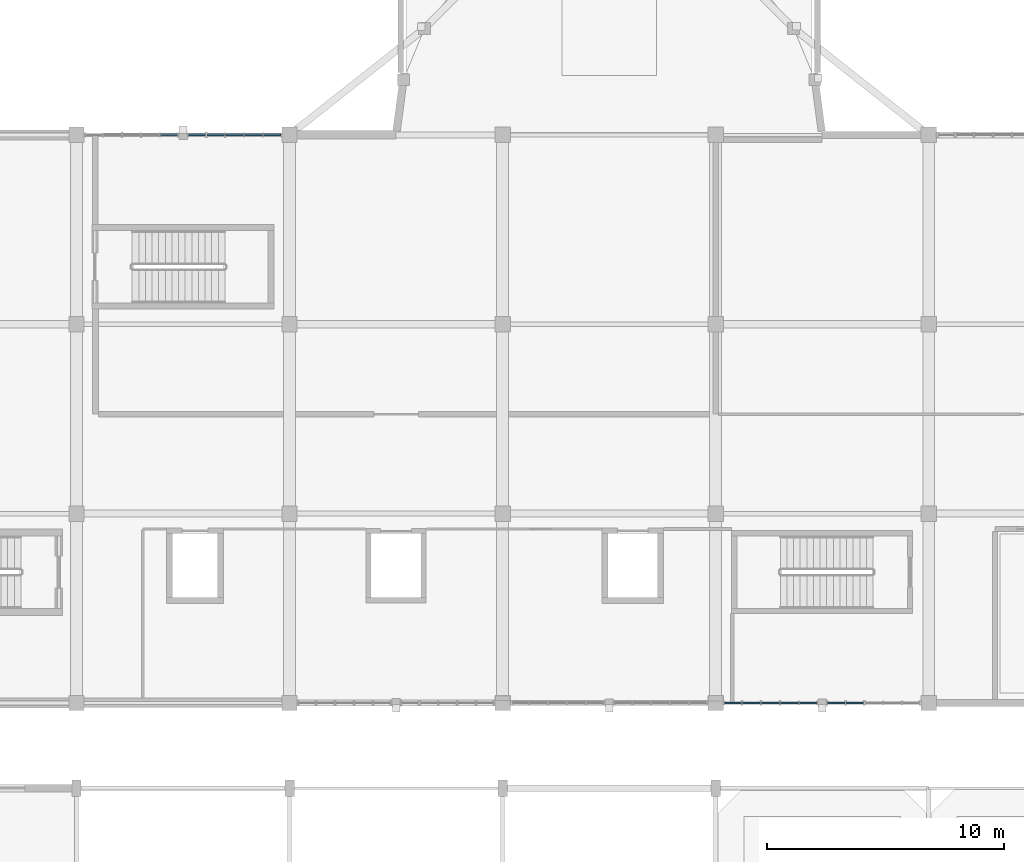
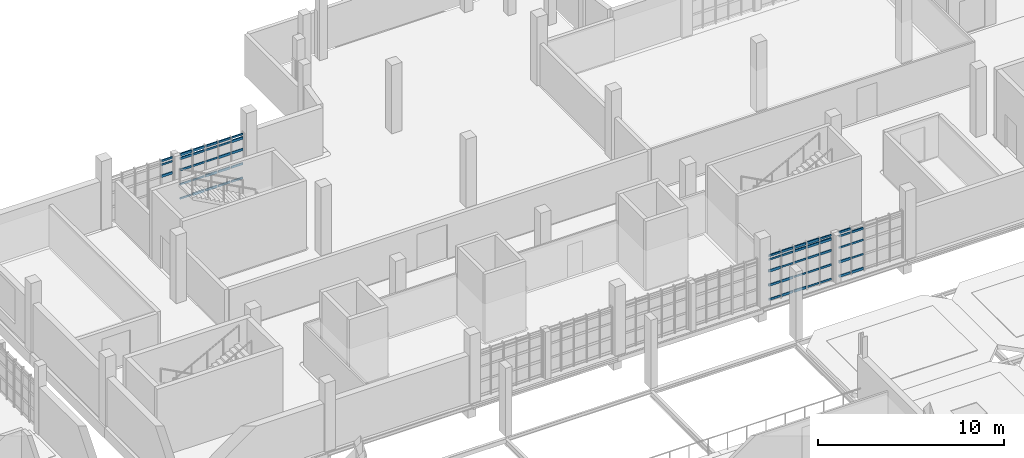
# One storey, part 59 of 125: 62 members, 4 elements without a shape of their own.
"""IFC4 building model written with IfcOpenShell, lengths in metres."""

from ifc_helpers import new_model, si_unit, direction, frame, origin, origin_2d, place, context, subcontext, project, spatial, rectangle, extrude, material, material_profile, profile_set, type_object, element, aggregate, save


model = new_model("IFC4")

# Units and contexts
model_context = context("Model", 3, precision=1e-05, world=origin(), true_north=direction((0.0, 1.0)))
body_context = subcontext(model_context, "Body", "Model", "MODEL_VIEW")
ifc_project = project(units=[si_unit("LENGTHUNIT", "METRE"), si_unit("AREAUNIT", "SQUARE_METRE"), si_unit("VOLUMEUNIT", "CUBIC_METRE"), si_unit("PLANEANGLEUNIT", "RADIAN"), si_unit("MASSUNIT", "GRAM", prefix="KILO")], contexts=[model_context])

# Site, building, storey
site_placement = place(None, origin())
site = spatial("IfcSite", under=ifc_project, at=site_placement, CompositionType="ELEMENT")
building_placement = place(site_placement, origin())
building = spatial("IfcBuilding", under=site, at=building_placement, Name="Serraforn Aerial Cableway Station", CompositionType="ELEMENT")
storey_placement = place(building_placement, frame((0.0, 0.0, 4.5)))
storey = spatial("IfcBuildingStorey", under=building, at=storey_placement, Name="L01", CompositionType="ELEMENT", Elevation=4.5)

# Curtain wall, members
ifc_material_1 = material(Name="Anodised bronze unitised curtain wall")
curtain_wall_type_1 = type_object("IfcCurtainWallType", Name="CW-SYS-19", PredefinedType="USERDEFINED", material=ifc_material_1)
curtain_wall_1_placement = place(storey_placement, origin())
curtain_wall_1 = element("IfcCurtainWall", 1, at=curtain_wall_1_placement, inside=storey, type_object=curtain_wall_type_1, Name="Unitised Curtain Wall CW-CV-L01-N2A", ObjectType="UNITISED CURTAIN WALL", PredefinedType="USERDEFINED")
ifc_material_2 = material(Name="Anodised bronze extruded aluminium", Category="aluminium")
ifc_material_profile_1 = material_profile(ifc_material_2, rectangle(XDim=0.054931640625, YDim=0.110107421875, at=origin_2d()), Name="CW TRANSOM 55x110")
ifc_profile_set_1 = profile_set([ifc_material_profile_1], Name="Anodised bronze extruded aluminium")
member_type_1 = type_object("IfcMemberType", Name="CW-TRN-1", PredefinedType="USERDEFINED", material=ifc_profile_set_1)
member_1_placement = place(storey_placement, frame((45.22412109375, 42.0, 2.9951171875), z_axis=(-1.0, 0.0, 0.0), x_axis=(0.0, -1.0, 0.0)))
member_1 = element("IfcMember", 2, at=member_1_placement, type_object=member_type_1, Name="Curtain Wall Transom CW-CV-L01-N2A-T1-5", ObjectType="TRANSOM", PredefinedType="USERDEFINED", context=body_context, shape_type="SweptSolid", body=[
    extrude(rectangle(XDim=0.054931640625, YDim=0.110107421875, at=origin_2d()), origin(), (0.0, 0.0, 1.0), 0.718505859375),
])
member_2_placement = place(storey_placement, frame((44.44970703125, 42.0, 2.74560546875), z_axis=(-1.0, 0.0, 0.0), x_axis=(0.0, -1.0, 0.0)))
member_2 = element("IfcMember", 3, at=member_2_placement, type_object=member_type_1, Name="Curtain Wall Transom CW-CV-L01-N2A-T2-4", ObjectType="TRANSOM", PredefinedType="USERDEFINED", context=body_context, shape_type="SweptSolid", body=[
    extrude(rectangle(XDim=0.054931640625, YDim=0.110107421875, at=origin_2d()), origin(), (0.0, 0.0, 1.0), 0.740966796875),
])
member_3_placement = place(storey_placement, frame((43.647705078125, 42.0, 1.996826171875), z_axis=(-1.0, 0.0, 0.0), x_axis=(0.0, -1.0, 0.0)))
member_3 = element("IfcMember", 4, at=member_3_placement, type_object=member_type_1, Name="Curtain Wall Transom CW-CV-L01-N2A-T3-3", ObjectType="TRANSOM", PredefinedType="USERDEFINED", context=body_context, shape_type="SweptSolid", body=[
    extrude(rectangle(XDim=0.054931640625, YDim=0.110107421875, at=origin_2d()), origin(), (0.0, 0.0, 1.0), 0.73583984375),
])
member_4_placement = place(storey_placement, frame((42.845703125, 42.0, 1.060791015625), z_axis=(-1.0, 0.0, 0.0), x_axis=(0.0, -1.0, 0.0)))
member_4 = element("IfcMember", 5, at=member_4_placement, type_object=member_type_1, Name="Curtain Wall Transom CW-CV-L01-N2A-T4-2", ObjectType="TRANSOM", PredefinedType="USERDEFINED", context=body_context, shape_type="SweptSolid", body=[
    extrude(rectangle(XDim=0.054931640625, YDim=0.110107421875, at=origin_2d()), origin(), (0.0, 0.0, 1.0), 0.730712890625),
])
member_5_placement = place(storey_placement, frame((42.0439453125, 42.0, 0.124755859375), z_axis=(-1.0, 0.0, 0.0), x_axis=(0.0, -1.0, 0.0)))
member_5 = element("IfcMember", 6, at=member_5_placement, type_object=member_type_1, Name="Curtain Wall Transom CW-CV-L01-N2A-T5-1", ObjectType="TRANSOM", PredefinedType="USERDEFINED", context=body_context, shape_type="SweptSolid", body=[
    extrude(rectangle(XDim=0.054931640625, YDim=0.110107421875, at=origin_2d()), origin(), (0.0, 0.0, 1.0), 0.7109375),
])

# Curtain wall, member
curtain_wall_type_2 = type_object("IfcCurtainWallType", Name="CW-SYS-20", PredefinedType="USERDEFINED", material=ifc_material_1)
curtain_wall_2_placement = place(storey_placement, origin())
curtain_wall_2 = element("IfcCurtainWall", 7, at=curtain_wall_2_placement, inside=storey, type_object=curtain_wall_type_2, Name="Unitised Curtain Wall CW-CV-L01-N2B", ObjectType="UNITISED CURTAIN WALL", PredefinedType="USERDEFINED")
member_6_placement = place(storey_placement, frame((40.862060546875, 42.0, 2.74560546875), z_axis=(-1.0, 0.0, 0.0), x_axis=(0.0, -1.0, 0.0)))
member_6 = element("IfcMember", 8, at=member_6_placement, type_object=member_type_1, Name="Curtain Wall Transom CW-CV-L01-N2B-T1-4", ObjectType="TRANSOM", PredefinedType="USERDEFINED", context=body_context, shape_type="SweptSolid", body=[
    extrude(rectangle(XDim=0.054931640625, YDim=0.110107421875, at=origin_2d()), origin(), (0.0, 0.0, 1.0), 0.7109375),
])

# Curtain wall, members
curtain_wall_type_3 = type_object("IfcCurtainWallType", Name="CW-SYS-25", PredefinedType="USERDEFINED", material=ifc_material_1)
curtain_wall_3_placement = place(storey_placement, origin())
curtain_wall_3 = element("IfcCurtainWall", 9, at=curtain_wall_3_placement, inside=storey, type_object=curtain_wall_type_3, Name="Unitised Curtain Wall CW-CV-L01-S5A", ObjectType="UNITISED CURTAIN WALL", PredefinedType="USERDEFINED")
member_7_placement = place(storey_placement, frame((63.98095703125, 18.0, 2.74560546875), z_axis=(1.0, 0.0, 0.0), x_axis=(0.0, 1.0, 0.0)))
member_7 = element("IfcMember", 10, at=member_7_placement, type_object=member_type_1, Name="Curtain Wall Transom CW-CV-L01-S5A-T1-4", ObjectType="TRANSOM", PredefinedType="USERDEFINED", context=body_context, shape_type="SweptSolid", body=[
    extrude(rectangle(XDim=0.054931640625, YDim=0.110107421875, at=origin_2d()), origin(), (0.0, 0.0, 1.0), 0.7109375),
])
member_8_placement = place(storey_placement, frame((64.7529296875, 18.0, 1.996826171875), z_axis=(1.0, 0.0, 0.0), x_axis=(0.0, 1.0, 0.0)))
member_8 = element("IfcMember", 11, at=member_8_placement, type_object=member_type_1, Name="Curtain Wall Transom CW-CV-L01-S5A-T2-3", ObjectType="TRANSOM", PredefinedType="USERDEFINED", context=body_context, shape_type="SweptSolid", body=[
    extrude(rectangle(XDim=0.054931640625, YDim=0.110107421875, at=origin_2d()), origin(), (0.0, 0.0, 1.0), 0.73583984375),
])
member_9_placement = place(storey_placement, frame((65.5546875, 18.0, 1.060791015625), z_axis=(1.0, 0.0, 0.0), x_axis=(0.0, 1.0, 0.0)))
member_9 = element("IfcMember", 12, at=member_9_placement, type_object=member_type_1, Name="Curtain Wall Transom CW-CV-L01-S5A-T3-2", ObjectType="TRANSOM", PredefinedType="USERDEFINED", context=body_context, shape_type="SweptSolid", body=[
    extrude(rectangle(XDim=0.054931640625, YDim=0.110107421875, at=origin_2d()), origin(), (0.0, 0.0, 1.0), 0.73095703125),
])
member_10_placement = place(storey_placement, frame((66.356689453125, 18.0, 0.124755859375), z_axis=(1.0, 0.0, 0.0), x_axis=(0.0, 1.0, 0.0)))
member_10 = element("IfcMember", 13, at=member_10_placement, type_object=member_type_1, Name="Curtain Wall Transom CW-CV-L01-S5A-T4-1", ObjectType="TRANSOM", PredefinedType="USERDEFINED", context=body_context, shape_type="SweptSolid", body=[
    extrude(rectangle(XDim=0.054931640625, YDim=0.110107421875, at=origin_2d()), origin(), (0.0, 0.0, 1.0), 0.738525390625),
])
member_11_placement = place(storey_placement, frame((67.14599609375, 18.0, 2.9951171875), z_axis=(1.0, 0.0, 0.0), x_axis=(0.0, 1.0, 0.0)))
member_11 = element("IfcMember", 14, at=member_11_placement, type_object=member_type_1, Name="Curtain Wall Transom CW-CV-L01-S5A-T5-5", ObjectType="TRANSOM", PredefinedType="USERDEFINED", context=body_context, shape_type="SweptSolid", body=[
    extrude(rectangle(XDim=0.054931640625, YDim=0.110107421875, at=origin_2d()), origin(), (0.0, 0.0, 1.0), 0.716064453125),
])

curtain_wall_type_4 = type_object("IfcCurtainWallType", Name="CW-SYS-26", PredefinedType="USERDEFINED", material=ifc_material_1)
curtain_wall_4_placement = place(storey_placement, origin())
curtain_wall_4 = element("IfcCurtainWall", 15, at=curtain_wall_4_placement, inside=storey, type_object=curtain_wall_type_4, Name="Unitised Curtain Wall CW-CV-L01-S5B", ObjectType="UNITISED CURTAIN WALL", PredefinedType="USERDEFINED")
member_12_placement = place(storey_placement, frame((68.343017578125, 18.0, 1.996826171875), z_axis=(1.0, 0.0, 0.0), x_axis=(0.0, 1.0, 0.0)))
member_12 = element("IfcMember", 16, at=member_12_placement, type_object=member_type_1, Name="Curtain Wall Transom CW-CV-L01-S5B-T1-3", ObjectType="TRANSOM", PredefinedType="USERDEFINED", context=body_context, shape_type="SweptSolid", body=[
    extrude(rectangle(XDim=0.054931640625, YDim=0.110107421875, at=origin_2d()), origin(), (0.0, 0.0, 1.0), 0.703369140625),
])
member_13_placement = place(storey_placement, frame((69.1123046875, 18.0, 1.060791015625), z_axis=(1.0, 0.0, 0.0), x_axis=(0.0, 1.0, 0.0)))
member_13 = element("IfcMember", 17, at=member_13_placement, type_object=member_type_1, Name="Curtain Wall Transom CW-CV-L01-S5B-T2-2", ObjectType="TRANSOM", PredefinedType="USERDEFINED", context=body_context, shape_type="SweptSolid", body=[
    extrude(rectangle(XDim=0.054931640625, YDim=0.110107421875, at=origin_2d()), origin(), (0.0, 0.0, 1.0), 0.73095703125),
])

# Member
ifc_material_profile_2 = material_profile(ifc_material_2, rectangle(XDim=0.06005859375, YDim=0.1201171875, at=origin_2d()), Name="CW TRANSOM 60x120")
ifc_profile_set_2 = profile_set([ifc_material_profile_2], Name="Anodised bronze extruded aluminium")
member_type_2 = type_object("IfcMemberType", Name="CW-TRN-2", PredefinedType="USERDEFINED", material=ifc_profile_set_2)
member_14_placement = place(storey_placement, frame((45.22412109375, 42.0, 0.124755859375), z_axis=(-1.0, 0.0, 0.0), x_axis=(0.0, -1.0, 0.0)))
member_14 = element("IfcMember", 18, at=member_14_placement, type_object=member_type_2, Name="Curtain Wall Transom CW-CV-L01-N2A-T1-1", ObjectType="TRANSOM", PredefinedType="USERDEFINED", context=body_context, shape_type="SweptSolid", body=[
    extrude(rectangle(XDim=0.06005859375, YDim=0.1201171875, at=origin_2d()), origin(), (0.0, 0.0, 1.0), 0.718505859375),
])

member_15_placement = place(storey_placement, frame((44.44970703125, 42.0, 2.9951171875), z_axis=(-1.0, 0.0, 0.0), x_axis=(0.0, -1.0, 0.0)))
member_15 = element("IfcMember", 19, at=member_15_placement, type_object=member_type_2, Name="Curtain Wall Transom CW-CV-L01-N2A-T2-5", ObjectType="TRANSOM", PredefinedType="USERDEFINED", context=body_context, shape_type="SweptSolid", body=[
    extrude(rectangle(XDim=0.06005859375, YDim=0.1201171875, at=origin_2d()), origin(), (0.0, 0.0, 1.0), 0.740966796875),
])

member_16_placement = place(storey_placement, frame((43.647705078125, 42.0, 2.74560546875), z_axis=(-1.0, 0.0, 0.0), x_axis=(0.0, -1.0, 0.0)))
member_16 = element("IfcMember", 20, at=member_16_placement, type_object=member_type_2, Name="Curtain Wall Transom CW-CV-L01-N2A-T3-4", ObjectType="TRANSOM", PredefinedType="USERDEFINED", context=body_context, shape_type="SweptSolid", body=[
    extrude(rectangle(XDim=0.06005859375, YDim=0.1201171875, at=origin_2d()), origin(), (0.0, 0.0, 1.0), 0.73583984375),
])

member_17_placement = place(storey_placement, frame((42.845703125, 42.0, 1.996826171875), z_axis=(-1.0, 0.0, 0.0), x_axis=(0.0, -1.0, 0.0)))
member_17 = element("IfcMember", 21, at=member_17_placement, type_object=member_type_2, Name="Curtain Wall Transom CW-CV-L01-N2A-T4-3", ObjectType="TRANSOM", PredefinedType="USERDEFINED", context=body_context, shape_type="SweptSolid", body=[
    extrude(rectangle(XDim=0.06005859375, YDim=0.1201171875, at=origin_2d()), origin(), (0.0, 0.0, 1.0), 0.730712890625),
])

member_18_placement = place(storey_placement, frame((42.0439453125, 42.0, 1.060791015625), z_axis=(-1.0, 0.0, 0.0), x_axis=(0.0, -1.0, 0.0)))
member_18 = element("IfcMember", 22, at=member_18_placement, type_object=member_type_2, Name="Curtain Wall Transom CW-CV-L01-N2A-T5-2", ObjectType="TRANSOM", PredefinedType="USERDEFINED", context=body_context, shape_type="SweptSolid", body=[
    extrude(rectangle(XDim=0.06005859375, YDim=0.1201171875, at=origin_2d()), origin(), (0.0, 0.0, 1.0), 0.7109375),
])

member_19_placement = place(storey_placement, frame((40.862060546875, 42.0, 2.9951171875), z_axis=(-1.0, 0.0, 0.0), x_axis=(0.0, -1.0, 0.0)))
member_19 = element("IfcMember", 23, at=member_19_placement, type_object=member_type_2, Name="Curtain Wall Transom CW-CV-L01-N2B-T1-5", ObjectType="TRANSOM", PredefinedType="USERDEFINED", context=body_context, shape_type="SweptSolid", body=[
    extrude(rectangle(XDim=0.06005859375, YDim=0.1201171875, at=origin_2d()), origin(), (0.0, 0.0, 1.0), 0.7109375),
])

member_20_placement = place(storey_placement, frame((63.98095703125, 18.0, 2.9951171875), z_axis=(1.0, 0.0, 0.0), x_axis=(0.0, 1.0, 0.0)))
member_20 = element("IfcMember", 24, at=member_20_placement, type_object=member_type_2, Name="Curtain Wall Transom CW-CV-L01-S5A-T1-5", ObjectType="TRANSOM", PredefinedType="USERDEFINED", context=body_context, shape_type="SweptSolid", body=[
    extrude(rectangle(XDim=0.06005859375, YDim=0.1201171875, at=origin_2d()), origin(), (0.0, 0.0, 1.0), 0.7109375),
])

member_21_placement = place(storey_placement, frame((64.7529296875, 18.0, 2.74560546875), z_axis=(1.0, 0.0, 0.0), x_axis=(0.0, 1.0, 0.0)))
member_21 = element("IfcMember", 25, at=member_21_placement, type_object=member_type_2, Name="Curtain Wall Transom CW-CV-L01-S5A-T2-4", ObjectType="TRANSOM", PredefinedType="USERDEFINED", context=body_context, shape_type="SweptSolid", body=[
    extrude(rectangle(XDim=0.06005859375, YDim=0.1201171875, at=origin_2d()), origin(), (0.0, 0.0, 1.0), 0.73583984375),
])

member_22_placement = place(storey_placement, frame((65.5546875, 18.0, 1.996826171875), z_axis=(1.0, 0.0, 0.0), x_axis=(0.0, 1.0, 0.0)))
member_22 = element("IfcMember", 26, at=member_22_placement, type_object=member_type_2, Name="Curtain Wall Transom CW-CV-L01-S5A-T3-3", ObjectType="TRANSOM", PredefinedType="USERDEFINED", context=body_context, shape_type="SweptSolid", body=[
    extrude(rectangle(XDim=0.06005859375, YDim=0.1201171875, at=origin_2d()), origin(), (0.0, 0.0, 1.0), 0.73095703125),
])

member_23_placement = place(storey_placement, frame((66.356689453125, 18.0, 1.060791015625), z_axis=(1.0, 0.0, 0.0), x_axis=(0.0, 1.0, 0.0)))
member_23 = element("IfcMember", 27, at=member_23_placement, type_object=member_type_2, Name="Curtain Wall Transom CW-CV-L01-S5A-T4-2", ObjectType="TRANSOM", PredefinedType="USERDEFINED", context=body_context, shape_type="SweptSolid", body=[
    extrude(rectangle(XDim=0.06005859375, YDim=0.1201171875, at=origin_2d()), origin(), (0.0, 0.0, 1.0), 0.738525390625),
])

member_24_placement = place(storey_placement, frame((67.14599609375, 18.0, 0.124755859375), z_axis=(1.0, 0.0, 0.0), x_axis=(0.0, 1.0, 0.0)))
member_24 = element("IfcMember", 28, at=member_24_placement, type_object=member_type_2, Name="Curtain Wall Transom CW-CV-L01-S5A-T5-1", ObjectType="TRANSOM", PredefinedType="USERDEFINED", context=body_context, shape_type="SweptSolid", body=[
    extrude(rectangle(XDim=0.06005859375, YDim=0.1201171875, at=origin_2d()), origin(), (0.0, 0.0, 1.0), 0.716064453125),
])

member_25_placement = place(storey_placement, frame((68.343017578125, 18.0, 2.74560546875), z_axis=(1.0, 0.0, 0.0), x_axis=(0.0, 1.0, 0.0)))
member_25 = element("IfcMember", 29, at=member_25_placement, type_object=member_type_2, Name="Curtain Wall Transom CW-CV-L01-S5B-T1-4", ObjectType="TRANSOM", PredefinedType="USERDEFINED", context=body_context, shape_type="SweptSolid", body=[
    extrude(rectangle(XDim=0.06005859375, YDim=0.1201171875, at=origin_2d()), origin(), (0.0, 0.0, 1.0), 0.703369140625),
])

member_26_placement = place(storey_placement, frame((69.1123046875, 18.0, 1.996826171875), z_axis=(1.0, 0.0, 0.0), x_axis=(0.0, 1.0, 0.0)))
member_26 = element("IfcMember", 30, at=member_26_placement, type_object=member_type_2, Name="Curtain Wall Transom CW-CV-L01-S5B-T2-3", ObjectType="TRANSOM", PredefinedType="USERDEFINED", context=body_context, shape_type="SweptSolid", body=[
    extrude(rectangle(XDim=0.06005859375, YDim=0.1201171875, at=origin_2d()), origin(), (0.0, 0.0, 1.0), 0.73095703125),
])

ifc_material_profile_3 = material_profile(ifc_material_2, rectangle(XDim=0.06494140625, YDim=0.135009765625, at=origin_2d()), Name="CW TRANSOM 65x135")
ifc_profile_set_3 = profile_set([ifc_material_profile_3], Name="Anodised bronze extruded aluminium")
member_type_3 = type_object("IfcMemberType", Name="CW-TRN-3", PredefinedType="USERDEFINED", material=ifc_profile_set_3)
member_27_placement = place(storey_placement, frame((45.22412109375, 42.0, 1.060791015625), z_axis=(-1.0, 0.0, 0.0), x_axis=(0.0, -1.0, 0.0)))
member_27 = element("IfcMember", 31, at=member_27_placement, type_object=member_type_3, Name="Curtain Wall Transom CW-CV-L01-N2A-T1-2", ObjectType="TRANSOM", PredefinedType="USERDEFINED", context=body_context, shape_type="SweptSolid", body=[
    extrude(rectangle(XDim=0.06494140625, YDim=0.135009765625, at=origin_2d()), origin(), (0.0, 0.0, 1.0), 0.718505859375),
])

member_28_placement = place(storey_placement, frame((44.44970703125, 42.0, 0.124755859375), z_axis=(-1.0, 0.0, 0.0), x_axis=(0.0, -1.0, 0.0)))
member_28 = element("IfcMember", 32, at=member_28_placement, type_object=member_type_3, Name="Curtain Wall Transom CW-CV-L01-N2A-T2-1", ObjectType="TRANSOM", PredefinedType="USERDEFINED", context=body_context, shape_type="SweptSolid", body=[
    extrude(rectangle(XDim=0.06494140625, YDim=0.135009765625, at=origin_2d()), origin(), (0.0, 0.0, 1.0), 0.740966796875),
])

member_29_placement = place(storey_placement, frame((43.647705078125, 42.0, 2.9951171875), z_axis=(-1.0, 0.0, 0.0), x_axis=(0.0, -1.0, 0.0)))
member_29 = element("IfcMember", 33, at=member_29_placement, type_object=member_type_3, Name="Curtain Wall Transom CW-CV-L01-N2A-T3-5", ObjectType="TRANSOM", PredefinedType="USERDEFINED", context=body_context, shape_type="SweptSolid", body=[
    extrude(rectangle(XDim=0.06494140625, YDim=0.135009765625, at=origin_2d()), origin(), (0.0, 0.0, 1.0), 0.73583984375),
])

member_30_placement = place(storey_placement, frame((42.845703125, 42.0, 2.74560546875), z_axis=(-1.0, 0.0, 0.0), x_axis=(0.0, -1.0, 0.0)))
member_30 = element("IfcMember", 34, at=member_30_placement, type_object=member_type_3, Name="Curtain Wall Transom CW-CV-L01-N2A-T4-4", ObjectType="TRANSOM", PredefinedType="USERDEFINED", context=body_context, shape_type="SweptSolid", body=[
    extrude(rectangle(XDim=0.06494140625, YDim=0.135009765625, at=origin_2d()), origin(), (0.0, 0.0, 1.0), 0.730712890625),
])

member_31_placement = place(storey_placement, frame((42.0439453125, 42.0, 1.996826171875), z_axis=(-1.0, 0.0, 0.0), x_axis=(0.0, -1.0, 0.0)))
member_31 = element("IfcMember", 35, at=member_31_placement, type_object=member_type_3, Name="Curtain Wall Transom CW-CV-L01-N2A-T5-3", ObjectType="TRANSOM", PredefinedType="USERDEFINED", context=body_context, shape_type="SweptSolid", body=[
    extrude(rectangle(XDim=0.06494140625, YDim=0.135009765625, at=origin_2d()), origin(), (0.0, 0.0, 1.0), 0.7109375),
])

member_32_placement = place(storey_placement, frame((63.98095703125, 18.0, 0.124755859375), z_axis=(1.0, 0.0, 0.0), x_axis=(0.0, 1.0, 0.0)))
member_32 = element("IfcMember", 36, at=member_32_placement, type_object=member_type_3, Name="Curtain Wall Transom CW-CV-L01-S5A-T1-1", ObjectType="TRANSOM", PredefinedType="USERDEFINED", context=body_context, shape_type="SweptSolid", body=[
    extrude(rectangle(XDim=0.06494140625, YDim=0.135009765625, at=origin_2d()), origin(), (0.0, 0.0, 1.0), 0.7109375),
])

member_33_placement = place(storey_placement, frame((64.7529296875, 18.0, 2.9951171875), z_axis=(1.0, 0.0, 0.0), x_axis=(0.0, 1.0, 0.0)))
member_33 = element("IfcMember", 37, at=member_33_placement, type_object=member_type_3, Name="Curtain Wall Transom CW-CV-L01-S5A-T2-5", ObjectType="TRANSOM", PredefinedType="USERDEFINED", context=body_context, shape_type="SweptSolid", body=[
    extrude(rectangle(XDim=0.06494140625, YDim=0.135009765625, at=origin_2d()), origin(), (0.0, 0.0, 1.0), 0.73583984375),
])

member_34_placement = place(storey_placement, frame((65.5546875, 18.0, 2.74560546875), z_axis=(1.0, 0.0, 0.0), x_axis=(0.0, 1.0, 0.0)))
member_34 = element("IfcMember", 38, at=member_34_placement, type_object=member_type_3, Name="Curtain Wall Transom CW-CV-L01-S5A-T3-4", ObjectType="TRANSOM", PredefinedType="USERDEFINED", context=body_context, shape_type="SweptSolid", body=[
    extrude(rectangle(XDim=0.06494140625, YDim=0.135009765625, at=origin_2d()), origin(), (0.0, 0.0, 1.0), 0.73095703125),
])

member_35_placement = place(storey_placement, frame((66.356689453125, 18.0, 1.996826171875), z_axis=(1.0, 0.0, 0.0), x_axis=(0.0, 1.0, 0.0)))
member_35 = element("IfcMember", 39, at=member_35_placement, type_object=member_type_3, Name="Curtain Wall Transom CW-CV-L01-S5A-T4-3", ObjectType="TRANSOM", PredefinedType="USERDEFINED", context=body_context, shape_type="SweptSolid", body=[
    extrude(rectangle(XDim=0.06494140625, YDim=0.135009765625, at=origin_2d()), origin(), (0.0, 0.0, 1.0), 0.738525390625),
])

member_36_placement = place(storey_placement, frame((67.14599609375, 18.0, 1.060791015625), z_axis=(1.0, 0.0, 0.0), x_axis=(0.0, 1.0, 0.0)))
member_36 = element("IfcMember", 40, at=member_36_placement, type_object=member_type_3, Name="Curtain Wall Transom CW-CV-L01-S5A-T5-2", ObjectType="TRANSOM", PredefinedType="USERDEFINED", context=body_context, shape_type="SweptSolid", body=[
    extrude(rectangle(XDim=0.06494140625, YDim=0.135009765625, at=origin_2d()), origin(), (0.0, 0.0, 1.0), 0.716064453125),
])

member_37_placement = place(storey_placement, frame((68.343017578125, 18.0, 2.9951171875), z_axis=(1.0, 0.0, 0.0), x_axis=(0.0, 1.0, 0.0)))
member_37 = element("IfcMember", 41, at=member_37_placement, type_object=member_type_3, Name="Curtain Wall Transom CW-CV-L01-S5B-T1-5", ObjectType="TRANSOM", PredefinedType="USERDEFINED", context=body_context, shape_type="SweptSolid", body=[
    extrude(rectangle(XDim=0.06494140625, YDim=0.135009765625, at=origin_2d()), origin(), (0.0, 0.0, 1.0), 0.703369140625),
])

member_38_placement = place(storey_placement, frame((69.1123046875, 18.0, 2.74560546875), z_axis=(1.0, 0.0, 0.0), x_axis=(0.0, 1.0, 0.0)))
member_38 = element("IfcMember", 42, at=member_38_placement, type_object=member_type_3, Name="Curtain Wall Transom CW-CV-L01-S5B-T2-4", ObjectType="TRANSOM", PredefinedType="USERDEFINED", context=body_context, shape_type="SweptSolid", body=[
    extrude(rectangle(XDim=0.06494140625, YDim=0.135009765625, at=origin_2d()), origin(), (0.0, 0.0, 1.0), 0.73095703125),
])

ifc_material_profile_4 = material_profile(ifc_material_2, rectangle(XDim=0.070068359375, YDim=0.14990234375, at=origin_2d()), Name="CW TRANSOM 70x150")
ifc_profile_set_4 = profile_set([ifc_material_profile_4], Name="Anodised bronze extruded aluminium")
member_type_4 = type_object("IfcMemberType", Name="CW-TRN-4", PredefinedType="USERDEFINED", material=ifc_profile_set_4)
member_39_placement = place(storey_placement, frame((45.22412109375, 42.0, 1.996826171875), z_axis=(-1.0, 0.0, 0.0), x_axis=(0.0, -1.0, 0.0)))
member_39 = element("IfcMember", 43, at=member_39_placement, type_object=member_type_4, Name="Curtain Wall Transom CW-CV-L01-N2A-T1-3", ObjectType="TRANSOM", PredefinedType="USERDEFINED", context=body_context, shape_type="SweptSolid", body=[
    extrude(rectangle(XDim=0.070068359375, YDim=0.14990234375, at=origin_2d()), origin(), (0.0, 0.0, 1.0), 0.718505859375),
])

member_40_placement = place(storey_placement, frame((44.44970703125, 42.0, 1.060791015625), z_axis=(-1.0, 0.0, 0.0), x_axis=(0.0, -1.0, 0.0)))
member_40 = element("IfcMember", 44, at=member_40_placement, type_object=member_type_4, Name="Curtain Wall Transom CW-CV-L01-N2A-T2-2", ObjectType="TRANSOM", PredefinedType="USERDEFINED", context=body_context, shape_type="SweptSolid", body=[
    extrude(rectangle(XDim=0.070068359375, YDim=0.14990234375, at=origin_2d()), origin(), (0.0, 0.0, 1.0), 0.740966796875),
])

member_41_placement = place(storey_placement, frame((43.647705078125, 42.0, 0.124755859375), z_axis=(-1.0, 0.0, 0.0), x_axis=(0.0, -1.0, 0.0)))
member_41 = element("IfcMember", 45, at=member_41_placement, type_object=member_type_4, Name="Curtain Wall Transom CW-CV-L01-N2A-T3-1", ObjectType="TRANSOM", PredefinedType="USERDEFINED", context=body_context, shape_type="SweptSolid", body=[
    extrude(rectangle(XDim=0.070068359375, YDim=0.14990234375, at=origin_2d()), origin(), (0.0, 0.0, 1.0), 0.73583984375),
])

member_42_placement = place(storey_placement, frame((42.845703125, 42.0, 2.9951171875), z_axis=(-1.0, 0.0, 0.0), x_axis=(0.0, -1.0, 0.0)))
member_42 = element("IfcMember", 46, at=member_42_placement, type_object=member_type_4, Name="Curtain Wall Transom CW-CV-L01-N2A-T4-5", ObjectType="TRANSOM", PredefinedType="USERDEFINED", context=body_context, shape_type="SweptSolid", body=[
    extrude(rectangle(XDim=0.070068359375, YDim=0.14990234375, at=origin_2d()), origin(), (0.0, 0.0, 1.0), 0.730712890625),
])

member_43_placement = place(storey_placement, frame((42.0439453125, 42.0, 2.74560546875), z_axis=(-1.0, 0.0, 0.0), x_axis=(0.0, -1.0, 0.0)))
member_43 = element("IfcMember", 47, at=member_43_placement, type_object=member_type_4, Name="Curtain Wall Transom CW-CV-L01-N2A-T5-4", ObjectType="TRANSOM", PredefinedType="USERDEFINED", context=body_context, shape_type="SweptSolid", body=[
    extrude(rectangle(XDim=0.070068359375, YDim=0.14990234375, at=origin_2d()), origin(), (0.0, 0.0, 1.0), 0.7109375),
])

member_44_placement = place(storey_placement, frame((63.98095703125, 18.0, 1.060791015625), z_axis=(1.0, 0.0, 0.0), x_axis=(0.0, 1.0, 0.0)))
member_44 = element("IfcMember", 48, at=member_44_placement, type_object=member_type_4, Name="Curtain Wall Transom CW-CV-L01-S5A-T1-2", ObjectType="TRANSOM", PredefinedType="USERDEFINED", context=body_context, shape_type="SweptSolid", body=[
    extrude(rectangle(XDim=0.070068359375, YDim=0.14990234375, at=origin_2d()), origin(), (0.0, 0.0, 1.0), 0.7109375),
])

member_45_placement = place(storey_placement, frame((64.7529296875, 18.0, 0.124755859375), z_axis=(1.0, 0.0, 0.0), x_axis=(0.0, 1.0, 0.0)))
member_45 = element("IfcMember", 49, at=member_45_placement, type_object=member_type_4, Name="Curtain Wall Transom CW-CV-L01-S5A-T2-1", ObjectType="TRANSOM", PredefinedType="USERDEFINED", context=body_context, shape_type="SweptSolid", body=[
    extrude(rectangle(XDim=0.070068359375, YDim=0.14990234375, at=origin_2d()), origin(), (0.0, 0.0, 1.0), 0.73583984375),
])

member_46_placement = place(storey_placement, frame((65.5546875, 18.0, 2.9951171875), z_axis=(1.0, 0.0, 0.0), x_axis=(0.0, 1.0, 0.0)))
member_46 = element("IfcMember", 50, at=member_46_placement, type_object=member_type_4, Name="Curtain Wall Transom CW-CV-L01-S5A-T3-5", ObjectType="TRANSOM", PredefinedType="USERDEFINED", context=body_context, shape_type="SweptSolid", body=[
    extrude(rectangle(XDim=0.070068359375, YDim=0.14990234375, at=origin_2d()), origin(), (0.0, 0.0, 1.0), 0.73095703125),
])

member_47_placement = place(storey_placement, frame((66.356689453125, 18.0, 2.74560546875), z_axis=(1.0, 0.0, 0.0), x_axis=(0.0, 1.0, 0.0)))
member_47 = element("IfcMember", 51, at=member_47_placement, type_object=member_type_4, Name="Curtain Wall Transom CW-CV-L01-S5A-T4-4", ObjectType="TRANSOM", PredefinedType="USERDEFINED", context=body_context, shape_type="SweptSolid", body=[
    extrude(rectangle(XDim=0.070068359375, YDim=0.14990234375, at=origin_2d()), origin(), (0.0, 0.0, 1.0), 0.738525390625),
])

member_48_placement = place(storey_placement, frame((67.14599609375, 18.0, 1.996826171875), z_axis=(1.0, 0.0, 0.0), x_axis=(0.0, 1.0, 0.0)))
member_48 = element("IfcMember", 52, at=member_48_placement, type_object=member_type_4, Name="Curtain Wall Transom CW-CV-L01-S5A-T5-3", ObjectType="TRANSOM", PredefinedType="USERDEFINED", context=body_context, shape_type="SweptSolid", body=[
    extrude(rectangle(XDim=0.070068359375, YDim=0.14990234375, at=origin_2d()), origin(), (0.0, 0.0, 1.0), 0.716064453125),
])

member_49_placement = place(storey_placement, frame((68.343017578125, 18.0, 0.124755859375), z_axis=(1.0, 0.0, 0.0), x_axis=(0.0, 1.0, 0.0)))
member_49 = element("IfcMember", 53, at=member_49_placement, type_object=member_type_4, Name="Curtain Wall Transom CW-CV-L01-S5B-T1-1", ObjectType="TRANSOM", PredefinedType="USERDEFINED", context=body_context, shape_type="SweptSolid", body=[
    extrude(rectangle(XDim=0.070068359375, YDim=0.14990234375, at=origin_2d()), origin(), (0.0, 0.0, 1.0), 0.703369140625),
])

ifc_material_profile_5 = material_profile(ifc_material_2, rectangle(XDim=0.074951171875, YDim=0.1650390625, at=origin_2d()), Name="CW TRANSOM 75x165")
ifc_profile_set_5 = profile_set([ifc_material_profile_5], Name="Anodised bronze extruded aluminium")
member_type_5 = type_object("IfcMemberType", Name="CW-TRN-5", PredefinedType="USERDEFINED", material=ifc_profile_set_5)
member_50_placement = place(storey_placement, frame((45.22412109375, 42.0, 2.74560546875), z_axis=(-1.0, 0.0, 0.0), x_axis=(0.0, -1.0, 0.0)))
member_50 = element("IfcMember", 54, at=member_50_placement, type_object=member_type_5, Name="Curtain Wall Transom CW-CV-L01-N2A-T1-4", ObjectType="TRANSOM", PredefinedType="USERDEFINED", context=body_context, shape_type="SweptSolid", body=[
    extrude(rectangle(XDim=0.074951171875, YDim=0.1650390625, at=origin_2d()), origin(), (0.0, 0.0, 1.0), 0.718505859375),
])

member_51_placement = place(storey_placement, frame((44.44970703125, 42.0, 1.996826171875), z_axis=(-1.0, 0.0, 0.0), x_axis=(0.0, -1.0, 0.0)))
member_51 = element("IfcMember", 55, at=member_51_placement, type_object=member_type_5, Name="Curtain Wall Transom CW-CV-L01-N2A-T2-3", ObjectType="TRANSOM", PredefinedType="USERDEFINED", context=body_context, shape_type="SweptSolid", body=[
    extrude(rectangle(XDim=0.074951171875, YDim=0.1650390625, at=origin_2d()), origin(), (0.0, 0.0, 1.0), 0.740966796875),
])

member_52_placement = place(storey_placement, frame((43.647705078125, 42.0, 1.060791015625), z_axis=(-1.0, 0.0, 0.0), x_axis=(0.0, -1.0, 0.0)))
member_52 = element("IfcMember", 56, at=member_52_placement, type_object=member_type_5, Name="Curtain Wall Transom CW-CV-L01-N2A-T3-2", ObjectType="TRANSOM", PredefinedType="USERDEFINED", context=body_context, shape_type="SweptSolid", body=[
    extrude(rectangle(XDim=0.074951171875, YDim=0.1650390625, at=origin_2d()), origin(), (0.0, 0.0, 1.0), 0.73583984375),
])

member_53_placement = place(storey_placement, frame((42.845703125, 42.0, 0.124755859375), z_axis=(-1.0, 0.0, 0.0), x_axis=(0.0, -1.0, 0.0)))
member_53 = element("IfcMember", 57, at=member_53_placement, type_object=member_type_5, Name="Curtain Wall Transom CW-CV-L01-N2A-T4-1", ObjectType="TRANSOM", PredefinedType="USERDEFINED", context=body_context, shape_type="SweptSolid", body=[
    extrude(rectangle(XDim=0.074951171875, YDim=0.1650390625, at=origin_2d()), origin(), (0.0, 0.0, 1.0), 0.730712890625),
])

member_54_placement = place(storey_placement, frame((42.0439453125, 42.0, 2.9951171875), z_axis=(-1.0, 0.0, 0.0), x_axis=(0.0, -1.0, 0.0)))
member_54 = element("IfcMember", 58, at=member_54_placement, type_object=member_type_5, Name="Curtain Wall Transom CW-CV-L01-N2A-T5-5", ObjectType="TRANSOM", PredefinedType="USERDEFINED", context=body_context, shape_type="SweptSolid", body=[
    extrude(rectangle(XDim=0.074951171875, YDim=0.1650390625, at=origin_2d()), origin(), (0.0, 0.0, 1.0), 0.7109375),
])

aggregate(curtain_wall_1, [member_14, member_27, member_39, member_50, member_1, member_28, member_40, member_51, member_2, member_15, member_41, member_52, member_3, member_16, member_29, member_53, member_4, member_17, member_30, member_42, member_5, member_18, member_31, member_43, member_54])

member_55_placement = place(storey_placement, frame((40.862060546875, 42.0, 1.996826171875), z_axis=(-1.0, 0.0, 0.0), x_axis=(0.0, -1.0, 0.0)))
member_55 = element("IfcMember", 59, at=member_55_placement, type_object=member_type_5, Name="Curtain Wall Transom CW-CV-L01-N2B-T1-3", ObjectType="TRANSOM", PredefinedType="USERDEFINED", context=body_context, shape_type="SweptSolid", body=[
    extrude(rectangle(XDim=0.074951171875, YDim=0.1650390625, at=origin_2d()), origin(), (0.0, 0.0, 1.0), 0.7109375),
])

aggregate(curtain_wall_2, [member_55, member_6, member_19])

member_56_placement = place(storey_placement, frame((63.98095703125, 18.0, 1.996826171875), z_axis=(1.0, 0.0, 0.0), x_axis=(0.0, 1.0, 0.0)))
member_56 = element("IfcMember", 60, at=member_56_placement, type_object=member_type_5, Name="Curtain Wall Transom CW-CV-L01-S5A-T1-3", ObjectType="TRANSOM", PredefinedType="USERDEFINED", context=body_context, shape_type="SweptSolid", body=[
    extrude(rectangle(XDim=0.074951171875, YDim=0.1650390625, at=origin_2d()), origin(), (0.0, 0.0, 1.0), 0.7109375),
])

member_57_placement = place(storey_placement, frame((64.7529296875, 18.0, 1.060791015625), z_axis=(1.0, 0.0, 0.0), x_axis=(0.0, 1.0, 0.0)))
member_57 = element("IfcMember", 61, at=member_57_placement, type_object=member_type_5, Name="Curtain Wall Transom CW-CV-L01-S5A-T2-2", ObjectType="TRANSOM", PredefinedType="USERDEFINED", context=body_context, shape_type="SweptSolid", body=[
    extrude(rectangle(XDim=0.074951171875, YDim=0.1650390625, at=origin_2d()), origin(), (0.0, 0.0, 1.0), 0.73583984375),
])

member_58_placement = place(storey_placement, frame((65.5546875, 18.0, 0.124755859375), z_axis=(1.0, 0.0, 0.0), x_axis=(0.0, 1.0, 0.0)))
member_58 = element("IfcMember", 62, at=member_58_placement, type_object=member_type_5, Name="Curtain Wall Transom CW-CV-L01-S5A-T3-1", ObjectType="TRANSOM", PredefinedType="USERDEFINED", context=body_context, shape_type="SweptSolid", body=[
    extrude(rectangle(XDim=0.074951171875, YDim=0.1650390625, at=origin_2d()), origin(), (0.0, 0.0, 1.0), 0.73095703125),
])

member_59_placement = place(storey_placement, frame((66.356689453125, 18.0, 2.9951171875), z_axis=(1.0, 0.0, 0.0), x_axis=(0.0, 1.0, 0.0)))
member_59 = element("IfcMember", 63, at=member_59_placement, type_object=member_type_5, Name="Curtain Wall Transom CW-CV-L01-S5A-T4-5", ObjectType="TRANSOM", PredefinedType="USERDEFINED", context=body_context, shape_type="SweptSolid", body=[
    extrude(rectangle(XDim=0.074951171875, YDim=0.1650390625, at=origin_2d()), origin(), (0.0, 0.0, 1.0), 0.738525390625),
])

member_60_placement = place(storey_placement, frame((67.14599609375, 18.0, 2.74560546875), z_axis=(1.0, 0.0, 0.0), x_axis=(0.0, 1.0, 0.0)))
member_60 = element("IfcMember", 64, at=member_60_placement, type_object=member_type_5, Name="Curtain Wall Transom CW-CV-L01-S5A-T5-4", ObjectType="TRANSOM", PredefinedType="USERDEFINED", context=body_context, shape_type="SweptSolid", body=[
    extrude(rectangle(XDim=0.074951171875, YDim=0.1650390625, at=origin_2d()), origin(), (0.0, 0.0, 1.0), 0.716064453125),
])

aggregate(curtain_wall_3, [member_32, member_44, member_56, member_7, member_20, member_45, member_57, member_8, member_21, member_33, member_58, member_9, member_22, member_34, member_46, member_10, member_23, member_35, member_47, member_59, member_24, member_36, member_48, member_60, member_11])

member_61_placement = place(storey_placement, frame((68.343017578125, 18.0, 1.060791015625), z_axis=(1.0, 0.0, 0.0), x_axis=(0.0, 1.0, 0.0)))
member_61 = element("IfcMember", 65, at=member_61_placement, type_object=member_type_5, Name="Curtain Wall Transom CW-CV-L01-S5B-T1-2", ObjectType="TRANSOM", PredefinedType="USERDEFINED", context=body_context, shape_type="SweptSolid", body=[
    extrude(rectangle(XDim=0.074951171875, YDim=0.1650390625, at=origin_2d()), origin(), (0.0, 0.0, 1.0), 0.703369140625),
])

member_62_placement = place(storey_placement, frame((69.1123046875, 18.0, 0.124755859375), z_axis=(1.0, 0.0, 0.0), x_axis=(0.0, 1.0, 0.0)))
member_62 = element("IfcMember", 66, at=member_62_placement, type_object=member_type_5, Name="Curtain Wall Transom CW-CV-L01-S5B-T2-1", ObjectType="TRANSOM", PredefinedType="USERDEFINED", context=body_context, shape_type="SweptSolid", body=[
    extrude(rectangle(XDim=0.074951171875, YDim=0.1650390625, at=origin_2d()), origin(), (0.0, 0.0, 1.0), 0.73095703125),
])

aggregate(curtain_wall_4, [member_49, member_61, member_12, member_25, member_37, member_62, member_13, member_26, member_38])

save(model, "model.ifc")
